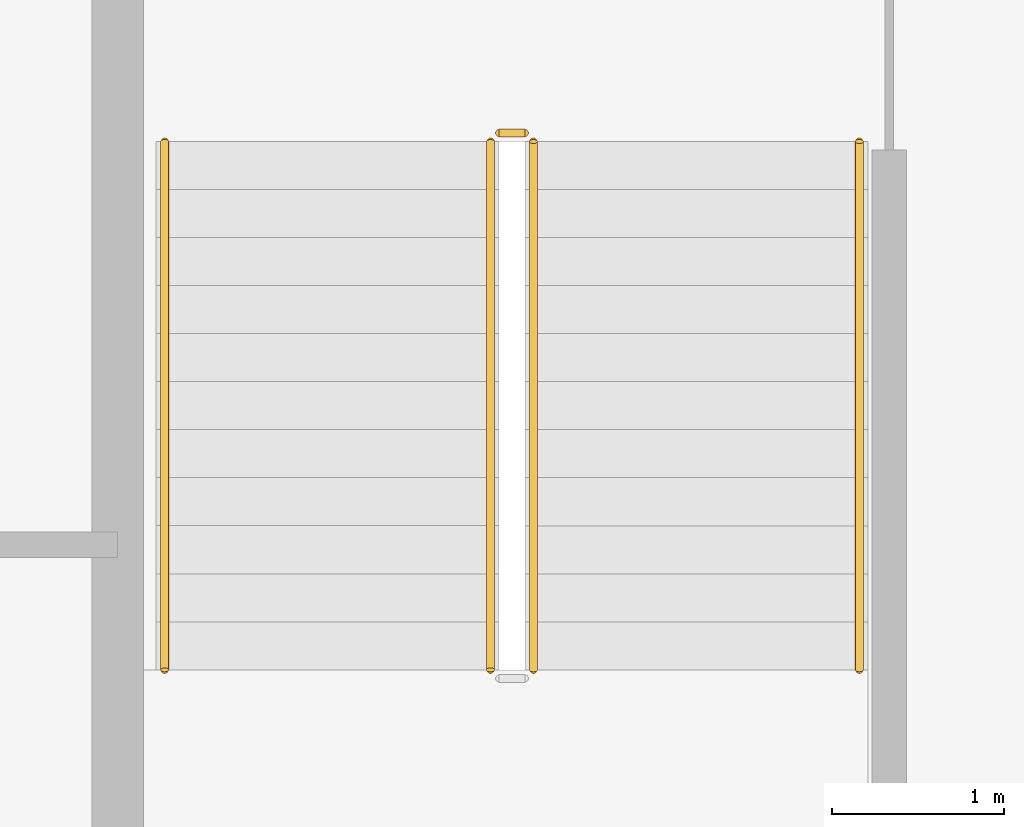
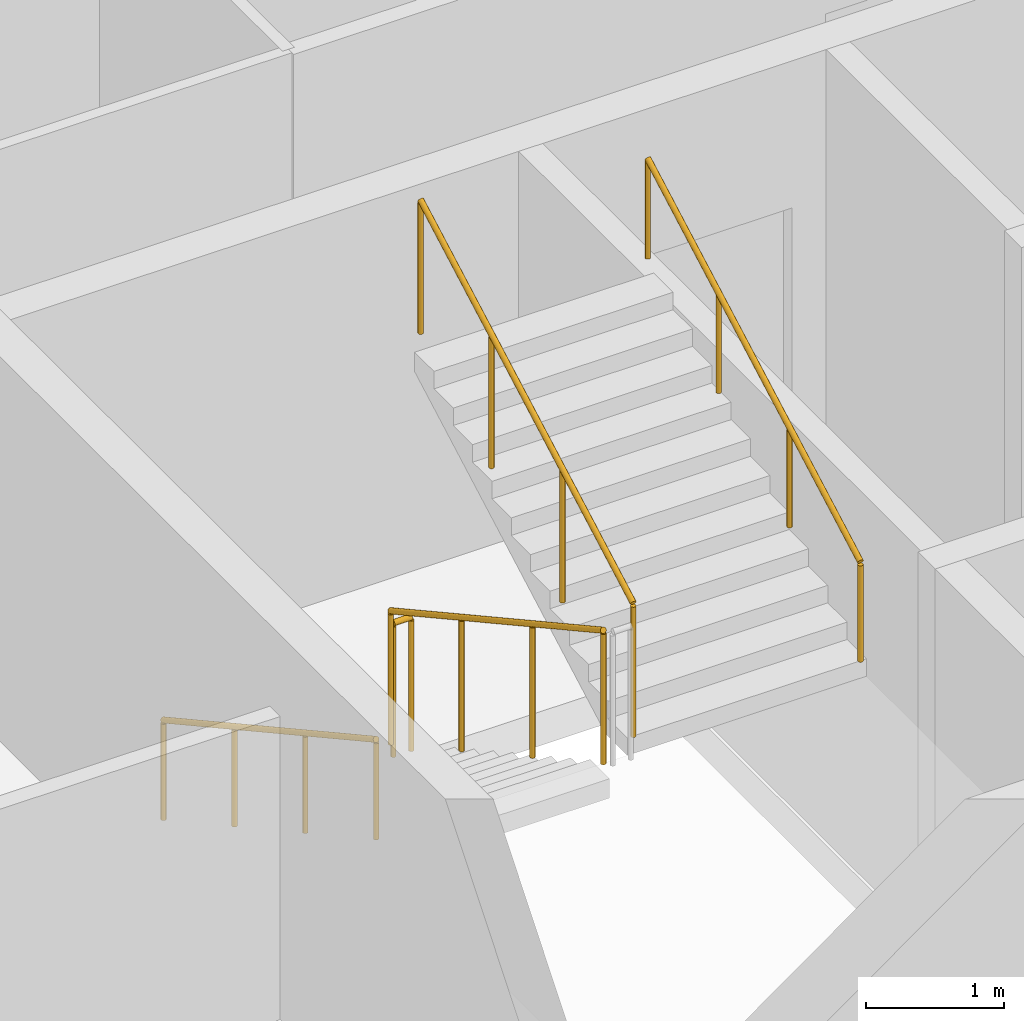
# One storey, part 11 of 15: 5 railings.
"""IFC4 building model written with IfcOpenShell, lengths in metres."""

from ifc_helpers import new_model, si_unit, direction, frame, origin, origin_2d, place, context, subcontext, project, spatial, circle, extrude, material, type_object, element, save


model = new_model("IFC4")

# Units and contexts
model_context = context("Model", 3, precision=1e-05, world=origin(), true_north=direction((0.0, 1.0)))
body_context = subcontext(model_context, "Body", "Model", "MODEL_VIEW")
ifc_project = project(units=[si_unit("LENGTHUNIT", "METRE"), si_unit("AREAUNIT", "SQUARE_METRE"), si_unit("VOLUMEUNIT", "CUBIC_METRE"), si_unit("PLANEANGLEUNIT", "RADIAN"), si_unit("MASSUNIT", "GRAM", prefix="KILO")], contexts=[model_context])

# Site, building, storey
site_placement = place(None, origin())
site = spatial("IfcSite", under=ifc_project, at=site_placement, CompositionType="ELEMENT")
building_placement = place(site_placement, origin())
building = spatial("IfcBuilding", under=site, at=building_placement, Name="Caravel Reach Hotel and Residences", CompositionType="ELEMENT")
storey_placement = place(building_placement, frame((0.0, 0.0, 237.89990234375)))
storey = spatial("IfcBuildingStorey", under=building, at=storey_placement, Name="L60", CompositionType="ELEMENT", Elevation=237.89990234375)

# Railings
ifc_material_1 = material(Name="Steel balustrade with glass infill", Category="steel")
railing_type_1 = type_object("IfcRailingType", Name="Guard 1200", PredefinedType="GUARDRAIL", material=ifc_material_1)
railing_1_placement = place(storey_placement, frame((20.175048828125, 29.35009765625, 0.154296875)))
element("IfcRailing", 1, at=railing_1_placement, inside=storey, type_object=railing_type_1, Name="L60 ST-A stair guard 1", PredefinedType="GUARDRAIL", context=body_context, shape_type="SweptSolid", body=[
    extrude(circle(Radius=0.02392578125, at=origin_2d()), frame((0.0, 0.0, 1.17578125), z_axis=(0.0, -0.876004717809, 0.482302534076), x_axis=(1.0, 0.0, 0.0)), (0.0, 0.0, 1.0), 3.51611328125),
    extrude(circle(Radius=0.02099609375, at=origin_2d()), origin(), (0.0, 0.0, 1.0), 1.15185546875),
    extrude(circle(Radius=0.02099609375, at=origin_2d()), frame((0.0, -1.026611328125, 0.565185546875)), (0.0, 0.0, 1.0), 1.15185546875),
    extrude(circle(Radius=0.02099609375, at=origin_2d()), frame((0.0, -2.053466796875, 1.130615234375)), (0.0, 0.0, 1.0), 1.15185546875),
    extrude(circle(Radius=0.02099609375, at=origin_2d()), frame((0.0, -3.080078125, 1.69580078125)), (0.0, 0.0, 1.0), 1.15185546875),
])
railing_2_placement = place(storey_placement, frame((20.425048828125, 26.27001953125, 2.004150390625)))
element("IfcRailing", 2, at=railing_2_placement, inside=storey, type_object=railing_type_1, Name="L60 ST-A stair guard 3", PredefinedType="GUARDRAIL", context=body_context, shape_type="SweptSolid", body=[
    extrude(circle(Radius=0.02392578125, at=origin_2d()), frame((0.0, 0.0, 1.17578125), z_axis=(0.0, 0.875975380505, 0.482355815502), x_axis=(-1.0, 0.0, 0.0)), (0.0, 0.0, 1.0), 3.51611328125),
    extrude(circle(Radius=0.02099609375, at=origin_2d()), origin(), (0.0, 0.0, 1.0), 1.15185546875),
    extrude(circle(Radius=0.02099609375, at=origin_2d()), frame((0.0, 1.026611328125, 0.5654296875)), (0.0, 0.0, 1.0), 1.15185546875),
    extrude(circle(Radius=0.02099609375, at=origin_2d()), frame((0.0, 2.053466796875, 1.130615234375)), (0.0, 0.0, 1.0), 1.15185546875),
    extrude(circle(Radius=0.02099609375, at=origin_2d()), frame((0.0, 3.080078125, 1.696044921875)), (0.0, 0.0, 1.0), 1.15185546875),
])
railing_3_placement = place(storey_placement, frame((20.22509765625, 29.39990234375, 0.0)))
element("IfcRailing", 3, at=railing_3_placement, inside=storey, type_object=railing_type_1, Name="L60 ST-A stair guard 4", PredefinedType="GUARDRAIL", context=body_context, shape_type="SweptSolid", body=[
    extrude(circle(Radius=0.02392578125, at=origin_2d()), frame((0.0, 0.0, 1.17578125), z_axis=(1.0, 0.0, 0.0), x_axis=(0.0, 1.0, 0.0)), (0.0, 0.0, 1.0), 0.14990234375),
    extrude(circle(Radius=0.02099609375, at=origin_2d()), origin(), (0.0, 0.0, 1.0), 1.15185546875),
    extrude(circle(Radius=0.02099609375, at=origin_2d()), frame((0.14990234375, 0.0, 0.0)), (0.0, 0.0, 1.0), 1.15185546875),
])
ifc_material_2 = material(Name="Stainless steel handrail", Category="steel")
railing_type_2 = type_object("IfcRailingType", Name="Handrail 900", PredefinedType="HANDRAIL", material=ifc_material_2)
railing_4_placement = place(storey_placement, frame((18.27490234375, 29.35009765625, 0.154296875)))
element("IfcRailing", 4, at=railing_4_placement, inside=storey, type_object=railing_type_2, Name="L60 ST-A stair handrail 1", PredefinedType="HANDRAIL", context=body_context, shape_type="SweptSolid", body=[
    extrude(circle(Radius=0.02392578125, at=origin_2d()), frame((0.0, 0.0, 0.8759765625), z_axis=(0.0, -0.876004717809, 0.482302534076), x_axis=(1.0, 0.0, 0.0)), (0.0, 0.0, 1.0), 3.51611328125),
    extrude(circle(Radius=0.02099609375, at=origin_2d()), origin(), (0.0, 0.0, 1.0), 0.851806640625),
    extrude(circle(Radius=0.02099609375, at=origin_2d()), frame((0.0, -1.026611328125, 0.565185546875)), (0.0, 0.0, 1.0), 0.851806640625),
    extrude(circle(Radius=0.02099609375, at=origin_2d()), frame((0.0, -2.053466796875, 1.130615234375)), (0.0, 0.0, 1.0), 0.851806640625),
    extrude(circle(Radius=0.02099609375, at=origin_2d()), frame((0.0, -3.080078125, 1.69580078125)), (0.0, 0.0, 1.0), 0.851806640625),
])
railing_5_placement = place(storey_placement, frame((22.324951171875, 26.27001953125, 2.004150390625)))
element("IfcRailing", 5, at=railing_5_placement, inside=storey, type_object=railing_type_2, Name="L60 ST-A stair handrail 2", PredefinedType="HANDRAIL", context=body_context, shape_type="SweptSolid", body=[
    extrude(circle(Radius=0.02392578125, at=origin_2d()), frame((0.0, 0.0, 0.8759765625), z_axis=(0.0, 0.875975380505, 0.482355815502), x_axis=(-1.0, 0.0, 0.0)), (0.0, 0.0, 1.0), 3.51611328125),
    extrude(circle(Radius=0.02099609375, at=origin_2d()), origin(), (0.0, 0.0, 1.0), 0.851806640625),
    extrude(circle(Radius=0.02099609375, at=origin_2d()), frame((0.0, 1.026611328125, 0.5654296875)), (0.0, 0.0, 1.0), 0.851806640625),
    extrude(circle(Radius=0.02099609375, at=origin_2d()), frame((0.0, 2.053466796875, 1.130615234375)), (0.0, 0.0, 1.0), 0.851806640625),
    extrude(circle(Radius=0.02099609375, at=origin_2d()), frame((0.0, 3.080078125, 1.696044921875)), (0.0, 0.0, 1.0), 0.851806640625),
])

save(model, "model.ifc")
